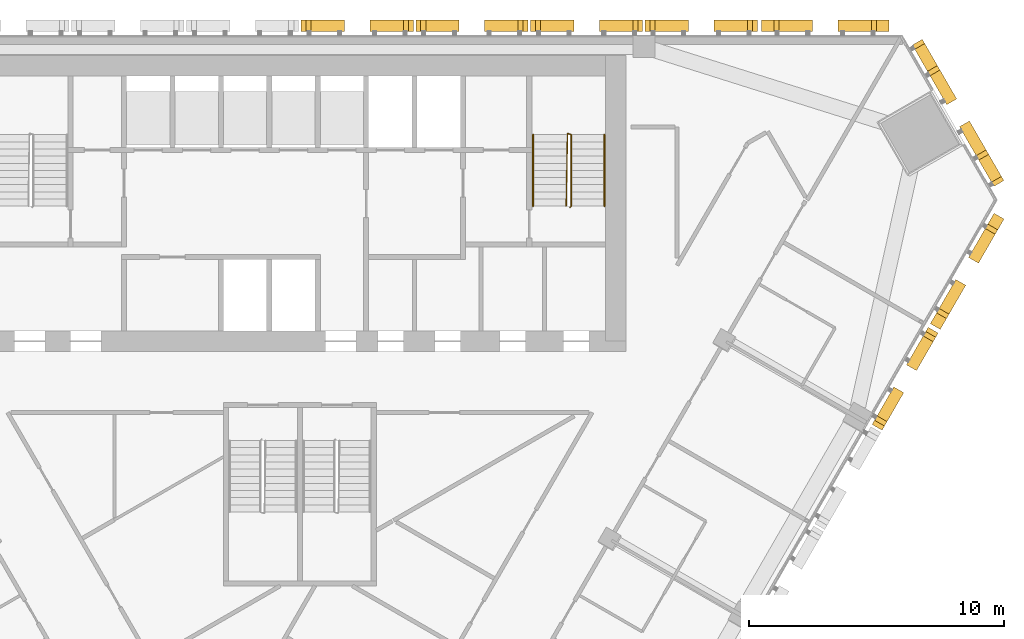
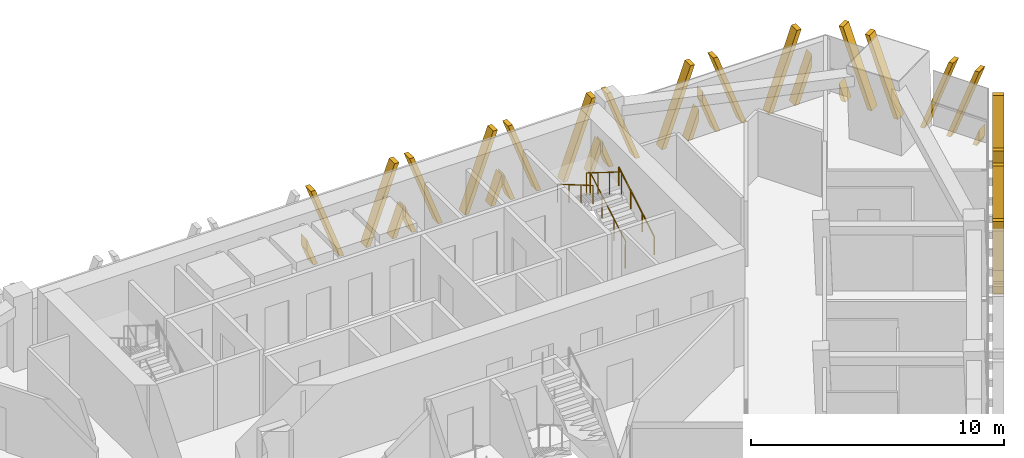
# One storey, part 15 of 16: 8 shading devices, 3 railings.
"""IFC4 building model written with IfcOpenShell, lengths in metres."""

import ifcopenshell
import ifcopenshell.guid

model = None  # the IFC model being written
_history = None  # IfcOwnerHistory: only IFC2X3 demands one
_inside = {}  # id of a spatial element -> (the spatial element, [elements in it])
_under = {}  # id of a project, library or spatial element -> (it, [spatial elements below it])
_declared = {}  # id of a project -> (the project, [libraries it declares])
_typed = {}  # id of a type object -> (the type object, [elements of that type])
_made_of = {}  # id of a material, layer set ... -> (it, [elements and type objects made of it])


def new_model(schema):
    """Start an empty IFC model of exactly this schema.

    Asked for "IFC4X3", IfcOpenShell would pick the latest addendum, in which some entities
    have other attributes; the version numbers below select the first issue.
    IFC2X3 requires an IfcOwnerHistory on every rooted entity: one is made here for all.
    """
    global model, _history
    if schema == "IFC4X3":
        model = ifcopenshell.file(schema_version=(4, 3, 0, 0))
    else:
        model = ifcopenshell.file(schema=schema)
    _inside.clear()
    _under.clear()
    _declared.clear()
    _typed.clear()
    _made_of.clear()
    _history = None
    if model.schema == "IFC2X3":
        org = make("IfcOrganization", Name="unknown")
        user = make(
            "IfcPersonAndOrganization",
            ThePerson=make("IfcPerson", FamilyName="unknown"),
            TheOrganization=org,
        )
        app = make(
            "IfcApplication",
            ApplicationDeveloper=org,
            Version="unknown",
            ApplicationFullName="unknown",
            ApplicationIdentifier="unknown",
        )
        _history = make(
            "IfcOwnerHistory",
            OwningUser=user,
            OwningApplication=app,
            ChangeAction="ADDED",
            CreationDate=0,
        )
    return model


def make(cls, **values):
    """One entity of the class cls with the attributes given. An attribute that is None is left unset."""
    return model.create_entity(
        cls, **{name: value for name, value in values.items() if value is not None}
    )


def rooted(cls, **values):
    """An entity with a GlobalId (a new one), such as an element, a storey or a relation."""
    return make(cls, GlobalId=ifcopenshell.guid.new(), OwnerHistory=_history, **values)


def si_unit(unit_type, name, prefix=None):
    """IfcSIUnit, for example si_unit("LENGTHUNIT", "METRE", prefix="MILLI")."""
    return make("IfcSIUnit", UnitType=unit_type, Prefix=prefix, Name=name)


def assignment(units):
    """IfcUnitAssignment: the units of a project."""
    return None if units is None else make("IfcUnitAssignment", Units=units)


def point(xyz):
    """IfcCartesianPoint."""
    return None if xyz is None else make("IfcCartesianPoint", Coordinates=xyz)


def direction(xyz):
    """IfcDirection."""
    return None if xyz is None else make("IfcDirection", DirectionRatios=xyz)


def frame(location, z_axis=None, x_axis=None):
    """IfcAxis2Placement3D, a coordinate frame: its origin and axes. An axis left out is left unset."""
    return make(
        "IfcAxis2Placement3D",
        Location=point(location),
        Axis=direction(z_axis),
        RefDirection=direction(x_axis),
    )


def frame_2d(location, x_axis=None):
    """IfcAxis2Placement2D, a coordinate frame in the plane: its origin and x axis."""
    return make(
        "IfcAxis2Placement2D", Location=point(location), RefDirection=direction(x_axis)
    )


def origin():
    """The frame at (0, 0, 0) with its axes left unset."""
    return frame((0.0, 0.0, 0.0))


def origin_2d():
    """The frame at (0, 0) in the plane with its x axis left unset."""
    return frame_2d((0.0, 0.0))


def place(relative_to, where):
    """IfcLocalPlacement: puts the frame where relative to a parent placement (None: the world)."""
    return make(
        "IfcLocalPlacement", PlacementRelTo=relative_to, RelativePlacement=where
    )


def context(
    kind, dimensions, precision=None, world=None, true_north=None, identifier=None
):
    """IfcGeometricRepresentationContext, for example the 3D "Model" context."""
    return make(
        "IfcGeometricRepresentationContext",
        ContextIdentifier=identifier,
        ContextType=kind,
        CoordinateSpaceDimension=dimensions,
        Precision=precision,
        WorldCoordinateSystem=world,
        TrueNorth=true_north,
    )


def subcontext(parent, identifier, kind, view, scale=None):
    """IfcGeometricRepresentationSubContext, for example "Body" below "Model"."""
    return make(
        "IfcGeometricRepresentationSubContext",
        ContextIdentifier=identifier,
        ContextType=kind,
        ParentContext=parent,
        TargetScale=scale,
        TargetView=view,
    )


def project(units=None, contexts=None):
    """IfcProject with its units and contexts."""
    return rooted(
        "IfcProject",
        Name="project",
        RepresentationContexts=contexts,
        UnitsInContext=assignment(units),
    )


def spatial(cls, under=None, at=None, **own):
    """A site, building, storey or space (cls), placed at a placement, below another one or the project."""
    s = rooted(cls, ObjectPlacement=at, **own)
    if under is not None:
        _under.setdefault(under.id(), (under, []))[1].append(s)
    return s


def polyline(points):
    """IfcPolyline through the points."""
    return make("IfcPolyline", Points=[point(p) for p in points])


def profile(cls, at=None, kind="AREA", **sizes):
    """A parametric profile (cls). Its sizes go by their IFC names, for example OverallWidth=200.0."""
    return make(cls, ProfileType=kind, Position=at, **sizes)


def circle(**sizes):
    """IfcCircleProfileDef."""
    return profile("IfcCircleProfileDef", **sizes)


def outline(outer, holes=None, kind="AREA"):
    """IfcArbitraryClosedProfileDef: a profile drawn as a closed curve; with holes, ...WithVoids."""
    if holes is None:
        return make("IfcArbitraryClosedProfileDef", ProfileType=kind, OuterCurve=outer)
    return make(
        "IfcArbitraryProfileDefWithVoids",
        ProfileType=kind,
        OuterCurve=outer,
        InnerCurves=holes,
    )


def extrude(swept, where, along, depth):
    """IfcExtrudedAreaSolid: the profile swept, set in the frame where, extruded along a direction by depth."""
    return make(
        "IfcExtrudedAreaSolid",
        SweptArea=swept,
        Position=where,
        ExtrudedDirection=direction(along),
        Depth=depth,
    )


def shape(context_of_items, identifier, shape_type, items):
    """IfcShapeRepresentation: the items that make up one representation, for example the "Body"."""
    return make(
        "IfcShapeRepresentation",
        ContextOfItems=context_of_items,
        RepresentationIdentifier=identifier,
        RepresentationType=shape_type,
        Items=items,
    )


def source(mapping_origin, context_of_items, identifier, shape_type, items):
    """IfcRepresentationMap: a shape defined once, which mapped items show again and again."""
    return make(
        "IfcRepresentationMap",
        MappingOrigin=mapping_origin,
        MappedRepresentation=shape(context_of_items, identifier, shape_type, items),
    )


def transform(
    local_origin,
    x_axis=None,
    y_axis=None,
    z_axis=None,
    scale=None,
    scale2=None,
    scale3=None,
    uniform=True,
):
    """IfcCartesianTransformationOperator3D, or its non-uniform kind. x_axis, y_axis, z_axis: its Axis1, 2, 3."""
    if uniform:
        return make(
            "IfcCartesianTransformationOperator3D",
            Axis1=direction(x_axis),
            Axis2=direction(y_axis),
            LocalOrigin=point(local_origin),
            Scale=scale,
            Axis3=direction(z_axis),
        )
    return make(
        "IfcCartesianTransformationOperator3DnonUniform",
        Axis1=direction(x_axis),
        Axis2=direction(y_axis),
        LocalOrigin=point(local_origin),
        Scale=scale,
        Axis3=direction(z_axis),
        Scale2=scale2,
        Scale3=scale3,
    )


def mapped(mapping_source, mapping_target):
    """IfcMappedItem: shows the shape of a source again, moved by a transform."""
    return make(
        "IfcMappedItem", MappingSource=mapping_source, MappingTarget=mapping_target
    )


def material(Name=None, Category=None):
    """IfcMaterial."""
    return make("IfcMaterial", Name=Name, Category=Category)


def made_of(thing, what):
    """Note that an element or type object is made of a material, layer set ...; save() writes the relation."""
    if what is not None:
        _made_of.setdefault(what.id(), (what, []))[1].append(thing)
    return thing


def type_object(cls, material=None, **own):
    """A type object (cls), such as IfcWallType, which elements share."""
    return made_of(rooted(cls, **own), material)


def element(
    cls,
    number,
    at=None,
    inside=None,
    cuts=None,
    type_object=None,
    material=None,
    context=None,
    identifier="Body",
    shape_type=None,
    held_by="IfcProductDefinitionShape",
    body=None,
    shapes=None,
    **own,
):
    """One element of the class cls, such as IfcWall. Its Tag is "e" and its number.

    at: its placement. inside: the storey or other place that contains it. cuts: it is an
    opening in that element (IfcRelVoidsElement). A single representation is given by context,
    identifier, shape_type and body (its items); several are given by shapes. held_by: the class
    of the entity that holds the representations. save() writes the other relations.
    """
    e = rooted(cls, Tag="e%d" % number, ObjectPlacement=at, **own)
    if body is not None:
        shapes = [shape(context, identifier, shape_type, body)]
    if shapes is not None:
        e.Representation = make(held_by, Representations=shapes)
    if inside is not None:
        _inside.setdefault(inside.id(), (inside, []))[1].append(e)
    if cuts is not None:
        rooted(
            "IfcRelVoidsElement", RelatingBuildingElement=cuts, RelatedOpeningElement=e
        )
    if type_object is not None:
        _typed.setdefault(type_object.id(), (type_object, []))[1].append(e)
    return made_of(e, material)


def aggregate(whole, parts):
    """IfcRelAggregates: a whole, such as a stair, and the parts it consists of."""
    return rooted("IfcRelAggregates", RelatingObject=whole, RelatedObjects=parts)


def save(model, path):
    """Write the relations noted so far, then the file.

    IfcRelAggregates (storeys below a building ...), IfcRelContainedInSpatialStructure (elements
    in a storey), IfcRelDefinesByType, IfcRelAssociatesMaterial and IfcRelDeclares: one each for
    every whole, place, type object, material and project.
    """
    for whole, parts in _under.values():
        aggregate(whole, parts)
    for where, things in _inside.values():
        rooted(
            "IfcRelContainedInSpatialStructure",
            RelatedElements=things,
            RelatingStructure=where,
        )
    for kind, things in _typed.values():
        rooted("IfcRelDefinesByType", RelatedObjects=things, RelatingType=kind)
    for what, things in _made_of.values():
        rooted("IfcRelAssociatesMaterial", RelatedObjects=things, RelatingMaterial=what)
    for by, libraries in _declared.values():
        rooted("IfcRelDeclares", RelatingContext=by, RelatedDefinitions=libraries)
    model.write(path)


model = new_model("IFC4")

# Units and contexts
model_context = context("Model", 3, precision=1e-05, world=origin(), true_north=direction((0.0, 1.0)))
body_context = subcontext(model_context, "Body", "Model", "MODEL_VIEW")
ifc_project = project(units=[si_unit("LENGTHUNIT", "METRE"), si_unit("AREAUNIT", "SQUARE_METRE"), si_unit("VOLUMEUNIT", "CUBIC_METRE"), si_unit("PLANEANGLEUNIT", "RADIAN"), si_unit("MASSUNIT", "GRAM", prefix="KILO")], contexts=[model_context])

# Site, building, storey
site_placement = place(None, origin())
site = spatial("IfcSite", under=ifc_project, at=site_placement, CompositionType="ELEMENT")
building_placement = place(site_placement, origin())
building = spatial("IfcBuilding", under=site, at=building_placement, Name="Altiplano Prism Tower", CompositionType="ELEMENT")
storey_placement = place(building_placement, frame((0.0, 0.0, 145.800048828125)))
storey = spatial("IfcBuildingStorey", under=building, at=storey_placement, Name="L37", CompositionType="ELEMENT", Elevation=145.800048828125)

# Railings
ifc_material_1 = material(Name="Steel S355", Category="steel")
railing_type_1 = type_object("IfcRailingType", Name="Stair guard 1100", PredefinedType="GUARDRAIL", material=ifc_material_1)
railing_1_placement = place(storey_placement, frame((95.60009765625, 98.25, 0.0)))
element("IfcRailing", 1, at=railing_1_placement, inside=storey, type_object=railing_type_1, Name="L37 ST2 stair guard 1", PredefinedType="GUARDRAIL", context=body_context, shape_type="SweptSolid", body=[
    extrude(circle(Radius=0.02392578125, at=origin_2d()), frame((0.0, 0.0, 1.076171875), z_axis=(0.279546231943, 0.280916556609, 0.91811752648), x_axis=(-0.708833529934, 0.705375805398, 0.0)), (0.0, 0.0, 1.0), 0.17822265625),
    extrude(circle(Radius=0.02392578125, at=origin_2d()), frame((0.0498046875, 0.050048828125, 1.23974609375), z_axis=(0.0, 0.863360870873, 0.504586966384), x_axis=(-1.0, 0.0, 0.0)), (0.0, 0.0, 1.0), 3.2431640625),
    extrude(circle(Radius=0.02392578125, at=origin_2d()), frame((0.0498046875, 2.85009765625, 2.8759765625), z_axis=(-0.948991962702, 0.315300261223, 0.0), x_axis=(-0.315300261223, -0.948991962702, 0.0)), (0.0, 0.0, 1.0), 0.157958984375),
    extrude(circle(Radius=0.02392578125, at=origin_2d()), frame((-0.10009765625, 2.89990234375, 2.8759765625), z_axis=(-0.014846992469, -0.845409478506, 0.533912334065), x_axis=(0.999845825584, -0.017559187376, 0.0)), (0.0, 0.0, 1.0), 3.37109375),
    extrude(circle(Radius=0.02099609375, at=origin_2d()), origin(), (0.0, 0.0, 1.0), 1.052001953125),
    extrude(circle(Radius=0.02099609375, at=origin_2d()), frame((0.0498046875, 0.050048828125, 0.16357421875)), (0.0, 0.0, 1.0), 1.052001953125),
    extrude(circle(Radius=0.02099609375, at=origin_2d()), frame((0.0498046875, 0.9833984375, 0.708984375)), (0.0, 0.0, 1.0), 1.052001953125),
    extrude(circle(Radius=0.02099609375, at=origin_2d()), frame((0.0498046875, 1.916748046875, 1.254638671875)), (0.0, 0.0, 1.0), 1.052001953125),
    extrude(circle(Radius=0.02099609375, at=origin_2d()), frame((0.0498046875, 2.85009765625, 1.800048828125)), (0.0, 0.0, 1.0), 1.052001953125),
    extrude(circle(Radius=0.02099609375, at=origin_2d()), frame((-0.10009765625, 2.89990234375, 1.800048828125)), (0.0, 0.0, 1.0), 1.052001953125),
    extrude(circle(Radius=0.02099609375, at=origin_2d()), frame((-0.11669921875, 1.949951171875, 2.39990234375)), (0.0, 0.0, 1.0), 1.052001953125),
    extrude(circle(Radius=0.02099609375, at=origin_2d()), frame((-0.133544921875, 1.0, 3.0)), (0.0, 0.0, 1.0), 1.052001953125),
    extrude(circle(Radius=0.02099609375, at=origin_2d()), frame((-0.150146484375, 0.050048828125, 3.599853515625)), (0.0, 0.0, 1.0), 1.052001953125),
])
railing_type_2 = type_object("IfcRailingType", Name="Stair handrail 900", PredefinedType="HANDRAIL", material=ifc_material_1)
railing_2_placement = place(storey_placement, frame((96.949951171875, 98.300048828125, 0.16357421875)))
element("IfcRailing", 2, at=railing_2_placement, inside=storey, type_object=railing_type_2, Name="L37 ST2 stair handrail 1", PredefinedType="HANDRAIL", context=body_context, shape_type="SweptSolid", body=[
    extrude(circle(Radius=0.02392578125, at=origin_2d()), frame((0.0, 0.0, 0.8759765625), z_axis=(0.0, 0.863360870873, 0.504586966384), x_axis=(-1.0, 0.0, 0.0)), (0.0, 0.0, 1.0), 3.2431640625),
    extrude(circle(Radius=0.02099609375, at=origin_2d()), origin(), (0.0, 0.0, 1.0), 0.851806640625),
    extrude(circle(Radius=0.02099609375, at=origin_2d()), frame((0.0, 0.933349609375, 0.54541015625)), (0.0, 0.0, 1.0), 0.851806640625),
    extrude(circle(Radius=0.02099609375, at=origin_2d()), frame((0.0, 1.86669921875, 1.091064453125)), (0.0, 0.0, 1.0), 0.851806640625),
    extrude(circle(Radius=0.02099609375, at=origin_2d()), frame((0.0, 2.800048828125, 1.636474609375)), (0.0, 0.0, 1.0), 0.851806640625),
])
railing_3_placement = place(storey_placement, frame((94.14990234375, 101.10009765625, 1.963623046875)))
element("IfcRailing", 3, at=railing_3_placement, inside=storey, type_object=railing_type_2, Name="L37 ST2 stair handrail 2", PredefinedType="HANDRAIL", context=body_context, shape_type="SweptSolid", body=[
    extrude(circle(Radius=0.02392578125, at=origin_2d()), frame((0.0, 0.0, 0.8759765625), z_axis=(0.0, -0.863393664356, 0.504530851732), x_axis=(1.0, 0.0, 0.0)), (0.0, 0.0, 1.0), 3.2431640625),
    extrude(circle(Radius=0.02099609375, at=origin_2d()), origin(), (0.0, 0.0, 1.0), 0.851806640625),
    extrude(circle(Radius=0.02099609375, at=origin_2d()), frame((0.0, -0.933349609375, 0.54541015625)), (0.0, 0.0, 1.0), 0.851806640625),
    extrude(circle(Radius=0.02099609375, at=origin_2d()), frame((0.0, -1.86669921875, 1.0908203125)), (0.0, 0.0, 1.0), 0.851806640625),
    extrude(circle(Radius=0.02099609375, at=origin_2d()), frame((0.0, -2.800048828125, 1.63623046875)), (0.0, 0.0, 1.0), 0.851806640625),
])

# Shading devices
ifc_material_2 = material(Name="Warm limestone cast stone", Category="masonry")
shading_device_type_1 = type_object("IfcShadingDeviceType", Name="Stone fin panel, standard unit", PredefinedType="USERDEFINED", material=ifc_material_2)
shared_shape_1 = source(origin(), body_context, "Body", "SweptSolid", [
    extrude(outline(polyline([(-2.199951171875, 1.373779296875), (-2.199951171875, 0.82421875), (-1.89990234375, 0.0), (-1.699951171875, 0.0), (-2.199951171875, 1.373779296875)])), frame((0.0, -0.14990234375, 0.0), z_axis=(0.0, -1.0, 0.0), x_axis=(1.0, 0.0, 0.0)), (0.0, 0.0, 1.0), 0.4501953125),
    extrude(outline(polyline([(-2.01025390625, 3.60009765625), (-0.699951171875, 0.0), (-0.5, 0.0), (-1.810302734375, 3.60009765625), (-2.01025390625, 3.60009765625)])), frame((0.0, -0.14990234375, 0.0), z_axis=(0.0, -1.0, 0.0), x_axis=(1.0, 0.0, 0.0)), (0.0, 0.0, 1.0), 0.4501953125),
    extrude(outline(polyline([(1.810302734375, 3.60009765625), (0.5, 0.0), (0.699951171875, 0.0), (2.01025390625, 3.60009765625), (1.810302734375, 3.60009765625)])), frame((0.0, -0.14990234375, 0.0), z_axis=(0.0, -1.0, 0.0), x_axis=(1.0, 0.0, 0.0)), (0.0, 0.0, 1.0), 0.4501953125),
    extrude(outline(polyline([(2.199951171875, 0.82421875), (2.199951171875, 1.373779296875), (1.699951171875, 0.0), (1.89990234375, 0.0), (2.199951171875, 0.82421875)])), frame((0.0, -0.14990234375, 0.0), z_axis=(0.0, -1.0, 0.0), x_axis=(1.0, 0.0, 0.0)), (0.0, 0.0, 1.0), 0.4501953125),
])
shading_device_1_placement = place(storey_placement, origin())
element("IfcShadingDevice", 4, at=shading_device_1_placement, inside=storey, type_object=shading_device_type_1, Name="Fin L37 north face 2", ObjectType="FIN", PredefinedType="USERDEFINED", context=body_context, shape_type="MappedRepresentation", body=[
    mapped(shared_shape_1, transform((100.75, 105.0, -0.449951171875), x_axis=(-1.0, 0.0, 0.0), y_axis=(0.0, -1.0, 0.0), z_axis=(0.0, 0.0, 1.0))),
])
shading_device_2_placement = place(storey_placement, origin())
element("IfcShadingDevice", 5, at=shading_device_2_placement, inside=storey, type_object=shading_device_type_1, Name="Fin L37 north face 3", ObjectType="FIN", PredefinedType="USERDEFINED", context=body_context, shape_type="MappedRepresentation", body=[
    mapped(shared_shape_1, transform((96.25, 105.0, -0.449951171875), x_axis=(-1.0, 0.0, 0.0), y_axis=(0.0, -1.0, 0.0), z_axis=(0.0, 0.0, 1.0))),
])
shading_device_3_placement = place(storey_placement, origin())
element("IfcShadingDevice", 6, at=shading_device_3_placement, inside=storey, type_object=shading_device_type_1, Name="Fin L37 north face 4", ObjectType="FIN", PredefinedType="USERDEFINED", context=body_context, shape_type="MappedRepresentation", body=[
    mapped(shared_shape_1, transform((91.75, 105.0, -0.449951171875), x_axis=(-1.0, 0.0, 0.0), y_axis=(0.0, -1.0, 0.0), z_axis=(0.0, 0.0, 1.0))),
])
shading_device_4_placement = place(storey_placement, origin())
element("IfcShadingDevice", 7, at=shading_device_4_placement, inside=storey, type_object=shading_device_type_1, Name="Fin L37 north face 5", ObjectType="FIN", PredefinedType="USERDEFINED", context=body_context, shape_type="MappedRepresentation", body=[
    mapped(shared_shape_1, transform((87.25, 105.0, -0.449951171875), x_axis=(-1.0, 0.0, 0.0), y_axis=(0.0, -1.0, 0.0), z_axis=(0.0, 0.0, 1.0))),
])
shading_device_5_placement = place(storey_placement, origin())
element("IfcShadingDevice", 8, at=shading_device_5_placement, inside=storey, type_object=shading_device_type_1, Name="Fin L37 south-east face 9", ObjectType="FIN", PredefinedType="USERDEFINED", context=body_context, shape_type="MappedRepresentation", body=[
    mapped(shared_shape_1, transform((108.421875, 91.7119140625, -0.449951171875), x_axis=(0.500000003023, 0.866025402039, 0.0), y_axis=(-0.866025402039, 0.500000003023, 0.0), z_axis=(0.0, 0.0, 1.0))),
])
shading_device_type_2 = type_object("IfcShadingDeviceType", Name="Stone fin panel, wide closing bay", PredefinedType="USERDEFINED", material=ifc_material_2)
shared_shape_2 = source(origin(), body_context, "Body", "SweptSolid", [
    extrude(outline(polyline([(-2.5, 2.197998046875), (-2.5, 1.6484375), (-1.89990234375, 0.0), (-1.699951171875, 0.0), (-2.5, 2.197998046875)])), frame((0.0, -0.14990234375, 0.0), z_axis=(0.0, -1.0, 0.0), x_axis=(1.0, 0.0, 0.0)), (0.0, 0.0, 1.0), 0.4501953125),
    extrude(outline(polyline([(-2.01025390625, 3.60009765625), (-0.699951171875, 0.0), (-0.5, 0.0), (-1.810302734375, 3.60009765625), (-2.01025390625, 3.60009765625)])), frame((0.0, -0.14990234375, 0.0), z_axis=(0.0, -1.0, 0.0), x_axis=(1.0, 0.0, 0.0)), (0.0, 0.0, 1.0), 0.4501953125),
    extrude(outline(polyline([(1.810302734375, 3.60009765625), (0.5, 0.0), (0.699951171875, 0.0), (2.01025390625, 3.60009765625), (1.810302734375, 3.60009765625)])), frame((0.0, -0.14990234375, 0.0), z_axis=(0.0, -1.0, 0.0), x_axis=(1.0, 0.0, 0.0)), (0.0, 0.0, 1.0), 0.4501953125),
    extrude(outline(polyline([(2.5, 1.6484375), (2.5, 2.197998046875), (1.699951171875, 0.0), (1.89990234375, 0.0), (2.5, 1.6484375)])), frame((0.0, -0.14990234375, 0.0), z_axis=(0.0, -1.0, 0.0), x_axis=(1.0, 0.0, 0.0)), (0.0, 0.0, 1.0), 0.4501953125),
])
shading_device_6_placement = place(storey_placement, origin())
element("IfcShadingDevice", 9, at=shading_device_6_placement, inside=storey, type_object=shading_device_type_2, Name="Fin L37 north face 1", ObjectType="FIN", PredefinedType="USERDEFINED", context=body_context, shape_type="MappedRepresentation", body=[
    mapped(shared_shape_2, transform((105.616943359375, 105.0, -0.449951171875), x_axis=(-1.0, 0.0, 0.0), y_axis=(0.0, -1.0, 0.0), z_axis=(0.0, 0.0, 1.0))),
])
shading_device_7_placement = place(storey_placement, origin())
element("IfcShadingDevice", 10, at=shading_device_7_placement, inside=storey, type_object=shading_device_type_2, Name="Fin L37 south-east face 10", ObjectType="FIN", PredefinedType="USERDEFINED", context=body_context, shape_type="MappedRepresentation", body=[
    mapped(shared_shape_2, transform((110.855224609375, 95.9267578125, -0.449951171875), x_axis=(0.500000003023, 0.866025402039, 0.0), y_axis=(-0.866025402039, 0.500000003023, 0.0), z_axis=(0.0, 0.0, 1.0))),
])
shading_device_type_3 = type_object("IfcShadingDeviceType", Name="Stone fin panel, chamfer unit", PredefinedType="USERDEFINED", material=ifc_material_2)
shared_shape_3 = source(origin(), body_context, "Body", "SweptSolid", [
    extrude(outline(polyline([(-3.199951171875, 3.60009765625), (-3.199951171875, 3.57177734375), (-1.89990234375, 0.0), (-1.699951171875, 0.0), (-3.01025390625, 3.60009765625), (-3.199951171875, 3.60009765625)])), frame((0.0, -0.14990234375, 0.0), z_axis=(0.0, -1.0, 0.0), x_axis=(1.0, 0.0, 0.0)), (0.0, 0.0, 1.0), 0.4501953125),
    extrude(outline(polyline([(-3.199951171875, 0.82421875), (-3.199951171875, 0.274658203125), (-3.10009765625, 0.0), (-2.89990234375, 0.0), (-3.199951171875, 0.82421875)])), frame((0.0, -0.14990234375, 0.0), z_axis=(0.0, -1.0, 0.0), x_axis=(1.0, 0.0, 0.0)), (0.0, 0.0, 1.0), 0.4501953125),
    extrude(outline(polyline([(-2.01025390625, 3.60009765625), (-0.699951171875, 0.0), (-0.5, 0.0), (-1.810302734375, 3.60009765625), (-2.01025390625, 3.60009765625)])), frame((0.0, -0.14990234375, 0.0), z_axis=(0.0, -1.0, 0.0), x_axis=(1.0, 0.0, 0.0)), (0.0, 0.0, 1.0), 0.4501953125),
    extrude(outline(polyline([(1.810302734375, 3.60009765625), (0.5, 0.0), (0.699951171875, 0.0), (2.01025390625, 3.60009765625), (1.810302734375, 3.60009765625)])), frame((0.0, -0.14990234375, 0.0), z_axis=(0.0, -1.0, 0.0), x_axis=(1.0, 0.0, 0.0)), (0.0, 0.0, 1.0), 0.4501953125),
    extrude(outline(polyline([(3.01025390625, 3.60009765625), (1.699951171875, 0.0), (1.89990234375, 0.0), (3.199951171875, 3.57177734375), (3.199951171875, 3.60009765625), (3.01025390625, 3.60009765625)])), frame((0.0, -0.14990234375, 0.0), z_axis=(0.0, -1.0, 0.0), x_axis=(1.0, 0.0, 0.0)), (0.0, 0.0, 1.0), 0.4501953125),
    extrude(outline(polyline([(3.199951171875, 0.274658203125), (3.199951171875, 0.82421875), (2.89990234375, 0.0), (3.10009765625, 0.0), (3.199951171875, 0.274658203125)])), frame((0.0, -0.14990234375, 0.0), z_axis=(0.0, -1.0, 0.0), x_axis=(1.0, 0.0, 0.0)), (0.0, 0.0, 1.0), 0.4501953125),
])
shading_device_8_placement = place(storey_placement, origin())
element("IfcShadingDevice", 11, at=shading_device_8_placement, inside=storey, type_object=shading_device_type_3, Name="Fin L37 north-east chamfer 1", ObjectType="FIN", PredefinedType="USERDEFINED", context=body_context, shape_type="MappedRepresentation", body=[
    mapped(shared_shape_3, transform((110.498779296875, 101.769775390625, -0.449951171875), x_axis=(-0.500000006889, 0.866025399807, 0.0), y_axis=(-0.866025399807, -0.500000006889, 0.0), z_axis=(0.0, 0.0, 1.0))),
])

save(model, "model.ifc")
